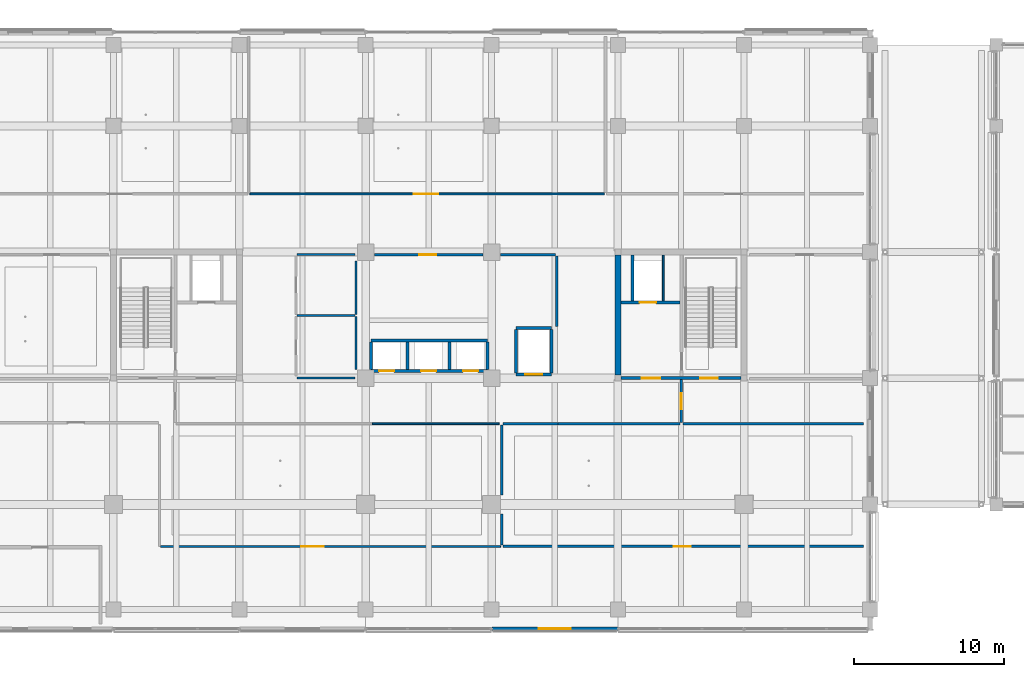
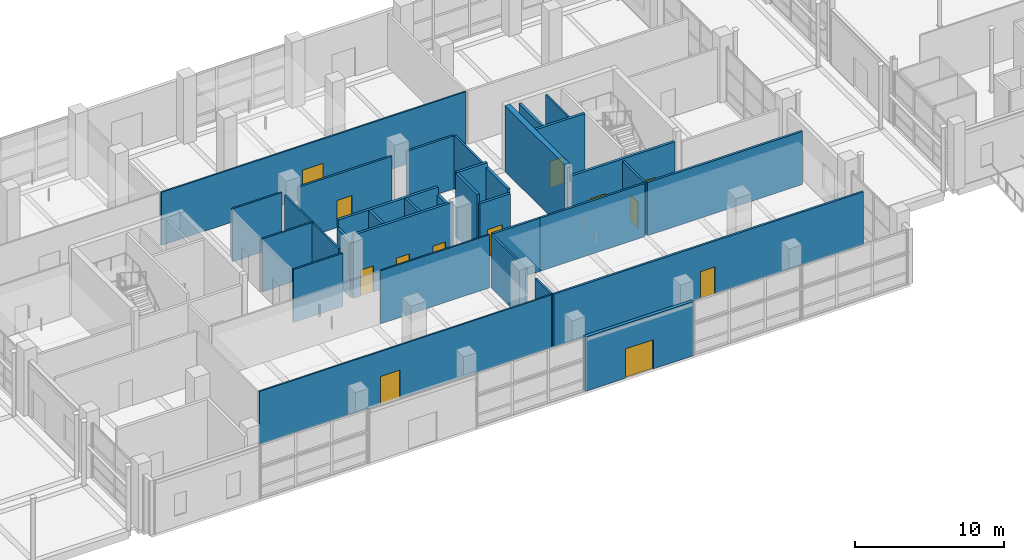
# One storey, part 60 of 140: 34 walls, 13 doors, 13 openings.
"""IFC4 building model written with IfcOpenShell, lengths in metres."""

from ifc_helpers import new_model, si_unit, direction, frame, frame_2d, origin, place, context, subcontext, project, spatial, rectangle, extrude, material, layer, layer_set, type_object, element, fill, save


model = new_model("IFC4")

# Units and contexts
model_context = context("Model", 3, precision=1e-05, world=origin(), true_north=direction((0.0, 1.0)))
body_context = subcontext(model_context, "Body", "Model", "MODEL_VIEW")
ifc_project = project(units=[si_unit("LENGTHUNIT", "METRE"), si_unit("AREAUNIT", "SQUARE_METRE"), si_unit("VOLUMEUNIT", "CUBIC_METRE"), si_unit("PLANEANGLEUNIT", "RADIAN"), si_unit("MASSUNIT", "GRAM", prefix="KILO")], contexts=[model_context])

# Site, building, storey
site_placement = place(None, origin())
site = spatial("IfcSite", under=ifc_project, at=site_placement, CompositionType="ELEMENT")
building_placement = place(site_placement, origin())
building = spatial("IfcBuilding", under=site, at=building_placement, Name="Telukmera Botanical Conservatory", CompositionType="ELEMENT")
storey_placement = place(building_placement, origin())
storey = spatial("IfcBuildingStorey", under=building, at=storey_placement, Name="L00", CompositionType="ELEMENT", Elevation=0.0)

# Wall, opening, door
ifc_material_1 = material(Name="Granite-faced precast concrete C40/50", Category="masonry")
ifc_layer_1 = layer(ifc_material_1, 0.260009765625)
ifc_layer_set_1 = layer_set([ifc_layer_1], Name="Granite-faced precast concrete C40/50")
wall_type_1 = type_object("IfcWallType", Name="Exterior Granite Precast Plinth Wall 260", PredefinedType="SOLIDWALL", material=ifc_layer_set_1)
wall_1_placement = place(storey_placement, frame((84.001953125, 9.320068359375, 0.0), z_axis=(0.0, 0.0, 1.0), x_axis=(1.0, 0.0, 0.0)))
wall_1 = element("IfcWall", 1, at=wall_1_placement, inside=storey, type_object=wall_type_1, Name="Exterior Precast Wall EW01 V4:L00:S5", PredefinedType="SOLIDWALL", context=body_context, shape_type="SweptSolid", body=[
    extrude(rectangle(XDim=8.39599609375, YDim=0.260009765625, at=frame_2d((4.197998046875, 0.0))), origin(), (0.0, 0.0, 1.0), 4.449951171875),
])
opening_1_placement = place(wall_1_placement, frame((3.123046875, 0.0, 0.0)))
opening_1 = element("IfcOpeningElement", 2, at=opening_1_placement, cuts=wall_1, Name="Opening D002", PredefinedType="OPENING", context=body_context, shape_type="SweptSolid", body=[
    extrude(rectangle(XDim=2.14990234375, YDim=2.39990234375, at=frame_2d((1.074951171875, 1.199951171875))), frame((0.0, 0.139892578125, 0.0), z_axis=(0.0, -1.0, 0.0), x_axis=(1.0, 0.0, 0.0)), (0.0, 0.0, 1.0), 0.280029296875),
])
ifc_material_2 = material(Name="Thermally broken anodised aluminium glazed door assembly", Category="aluminium")
door_type_1 = type_object("IfcDoorType", Name="Main Boulevard Tower East Entrance Double Door 2150x2400", OperationType="NOTDEFINED", PredefinedType="DOOR", material=ifc_material_2)
door_1_placement = place(opening_1_placement, frame((2.14990234375, 0.0, 0.0), z_axis=(0.0, 0.0, 1.0), x_axis=(-1.0, 0.0, 0.0)))
door_1 = element("IfcDoor", 3, at=door_1_placement, inside=storey, type_object=door_type_1, Name="Exterior Door D002", OperationType="DOUBLE_DOOR_SINGLE_SWING", OverallHeight=2.39990234375, OverallWidth=2.14990234375, PredefinedType="DOOR", context=body_context, shape_type="SweptSolid", body=[
    extrude(rectangle(XDim=2.14990234375, YDim=2.39990234375, at=frame_2d((1.074951171875, 1.199951171875))), frame((0.0, 0.02490234375, 0.0), z_axis=(0.0, -1.0, 0.0), x_axis=(1.0, 0.0, 0.0)), (0.0, 0.0, 1.0), 0.050048828125),
])
fill(opening_1, door_1)

# Wall, openings, doors
ifc_material_3 = material(Name="Concrete C40/50", Category="concrete")
ifc_layer_2 = layer(ifc_material_3, 0.199951171875)
ifc_layer_set_2 = layer_set([ifc_layer_2], Name="Concrete C40/50")
wall_type_2 = type_object("IfcWallType", Name="WT-CORE-200", PredefinedType="SOLIDWALL", material=ifc_layer_set_2)
wall_2_placement = place(storey_placement, frame((92.60009765625, 26.0, 0.0), z_axis=(0.0, 0.0, 1.0), x_axis=(1.0, 0.0, 0.0)))
wall_2 = element("IfcWall", 4, at=wall_2_placement, inside=storey, type_object=wall_type_2, Name="L00 Core C2 South Fire Wall", PredefinedType="SOLIDWALL", context=body_context, shape_type="SweptSolid", body=[
    extrude(rectangle(XDim=8.0, YDim=0.199951171875, at=frame_2d((4.0, 0.0))), origin(), (0.0, 0.0, 1.0), 4.530029296875),
])
opening_2_placement = place(wall_2_placement, frame((1.39990234375, 0.0, 0.0)))
opening_2 = element("IfcOpeningElement", 5, at=opening_2_placement, cuts=wall_2, Name="Opening FD60C", PredefinedType="OPENING", context=body_context, shape_type="SweptSolid", body=[
    extrude(rectangle(XDim=1.219970703125, YDim=2.14990234375, at=frame_2d((0.60986328125, 1.074951171875))), frame((0.0, 0.10986328125, 0.0), z_axis=(0.0, -1.0, 0.0), x_axis=(1.0, 0.0, 0.0)), (0.0, 0.0, 1.0), 0.219970703125),
])
opening_3_placement = place(wall_2_placement, frame((5.300048828125, 0.0, 0.0)))
opening_3 = element("IfcOpeningElement", 6, at=opening_3_placement, cuts=wall_2, Name="Opening FD60A", PredefinedType="OPENING", context=body_context, shape_type="SweptSolid", body=[
    extrude(rectangle(XDim=1.14990234375, YDim=2.14990234375, at=frame_2d((0.574951171875, 1.074951171875))), frame((0.0, 0.10986328125, 0.0), z_axis=(0.0, -1.0, 0.0), x_axis=(1.0, 0.0, 0.0)), (0.0, 0.0, 1.0), 0.219970703125),
])
ifc_material_4 = material(Name="Hardwood fire door", Category="wood")
door_type_2 = type_object("IfcDoorType", Name="DT-FD60-01", OperationType="NOTDEFINED", PredefinedType="DOOR", material=ifc_material_4)
door_2_placement = place(opening_3_placement, frame((1.14990234375, 0.0, 0.0), z_axis=(0.0, 0.0, 1.0), x_axis=(-1.0, 0.0, 0.0)))
door_2 = element("IfcDoor", 7, at=door_2_placement, inside=storey, type_object=door_type_2, Name="L00 Stair ST2 Escape Door", OperationType="SINGLE_SWING_RIGHT", OverallHeight=2.14990234375, OverallWidth=1.14990234375, PredefinedType="DOOR", context=body_context, shape_type="SweptSolid", body=[
    extrude(rectangle(XDim=1.14990234375, YDim=2.14990234375, at=frame_2d((0.574951171875, 1.074951171875))), frame((0.0, 0.02490234375, 0.0), z_axis=(0.0, -1.0, 0.0), x_axis=(1.0, 0.0, 0.0)), (0.0, 0.0, 1.0), 0.050048828125),
])
fill(opening_3, door_2)
door_type_3 = type_object("IfcDoorType", Name="DT-FD60-03", OperationType="NOTDEFINED", PredefinedType="DOOR", material=ifc_material_4)
door_3_placement = place(opening_2_placement, origin())
door_3 = element("IfcDoor", 8, at=door_3_placement, inside=storey, type_object=door_type_3, Name="L00 Firefighting Lobby C2 Door", OperationType="SINGLE_SWING_LEFT", OverallHeight=2.14990234375, OverallWidth=1.219970703125, PredefinedType="DOOR", context=body_context, shape_type="SweptSolid", body=[
    extrude(rectangle(XDim=1.219970703125, YDim=2.14990234375, at=frame_2d((0.60986328125, 1.074951171875))), frame((0.0, 0.02490234375, 0.0), z_axis=(0.0, -1.0, 0.0), x_axis=(1.0, 0.0, 0.0)), (0.0, 0.0, 1.0), 0.050048828125),
])
fill(opening_2, door_3)

# Wall, opening, door
wall_3_placement = place(storey_placement, frame((92.60009765625, 31.050048828125, 0.0), z_axis=(0.0, 0.0, 1.0), x_axis=(1.0, 0.0, 0.0)))
wall_3 = element("IfcWall", 9, at=wall_3_placement, inside=storey, type_object=wall_type_2, Name="L00 Fire Lift FL2 Shaft Front Wall", PredefinedType="SOLIDWALL", context=body_context, shape_type="SweptSolid", body=[
    extrude(rectangle(XDim=3.949951171875, YDim=0.199951171875, at=frame_2d((1.97509765625, 0.0))), origin(), (0.0, 0.0, 1.0), 5.199951171875),
])
opening_4_placement = place(wall_3_placement, frame((1.25, 0.0, 0.0)))
opening_4 = element("IfcOpeningElement", 10, at=opening_4_placement, cuts=wall_3, Name="Opening LD01", PredefinedType="OPENING", context=body_context, shape_type="SweptSolid", body=[
    extrude(rectangle(XDim=1.10009765625, YDim=2.14990234375, at=frame_2d((0.550048828125, 1.074951171875))), frame((0.0, 0.10986328125, 0.0), z_axis=(0.0, -1.0, 0.0), x_axis=(1.0, 0.0, 0.0)), (0.0, 0.0, 1.0), 0.219970703125),
])
ifc_material_5 = material(Name="Stainless steel 316", Category="steel")
door_type_4 = type_object("IfcDoorType", Name="DT-LD01", OperationType="SLIDING_TO_LEFT", PredefinedType="DOOR", material=ifc_material_5)
door_4_placement = place(opening_4_placement, frame((1.10009765625, 0.0, 0.0), z_axis=(0.0, 0.0, 1.0), x_axis=(-1.0, 0.0, 0.0)))
door_4 = element("IfcDoor", 11, at=door_4_placement, inside=storey, type_object=door_type_4, Name="L00 Lift Landing Door FL2", OperationType="SLIDING_TO_LEFT", OverallHeight=2.14990234375, OverallWidth=1.10009765625, PredefinedType="DOOR", context=body_context, shape_type="SweptSolid", body=[
    extrude(rectangle(XDim=1.10009765625, YDim=2.14990234375, at=frame_2d((0.550048828125, 1.074951171875))), frame((0.0, 0.02490234375, 0.0), z_axis=(0.0, -1.0, 0.0), x_axis=(1.0, 0.0, 0.0)), (0.0, 0.0, 1.0), 0.050048828125),
])
fill(opening_4, door_4)

# Wall
wall_4_placement = place(storey_placement, frame((93.3798828125, 31.14990234375, 0.0), z_axis=(0.0, 0.0, 1.0), x_axis=(0.0, 1.0, 0.0)))
element("IfcWall", 12, at=wall_4_placement, inside=storey, type_object=wall_type_2, Name="L00 Fire Lift FL2 Shaft West Wall", PredefinedType="SOLIDWALL", context=body_context, shape_type="SweptSolid", body=[
    extrude(rectangle(XDim=3.050048828125, YDim=0.199951171875, at=frame_2d((1.52490234375, 0.0))), origin(), (0.0, 0.0, 1.0), 5.199951171875),
])

# Wall, openings, doors
wall_5_placement = place(storey_placement, frame((75.949951171875, 26.47998046875, 0.0), z_axis=(0.0, 0.0, 1.0), x_axis=(1.0, 0.0, 0.0)))
wall_5 = element("IfcWall", 13, at=wall_5_placement, inside=storey, type_object=wall_type_2, Name="L00 Passenger Lift Bank Front Wall", PredefinedType="SOLIDWALL", context=body_context, shape_type="SweptSolid", body=[
    extrude(rectangle(XDim=7.77001953125, YDim=0.199951171875, at=frame_2d((3.885009765625, 0.0))), origin(), (0.0, 0.0, 1.0), 5.199951171875),
])
opening_5_placement = place(wall_5_placement, frame((0.550048828125, 0.0, 0.0)))
opening_5 = element("IfcOpeningElement", 14, at=opening_5_placement, cuts=wall_5, Name="Opening LD03", PredefinedType="OPENING", context=body_context, shape_type="SweptSolid", body=[
    extrude(rectangle(XDim=1.0, YDim=2.14990234375, at=frame_2d((0.5, 1.074951171875))), frame((0.0, 0.10986328125, 0.0), z_axis=(0.0, -1.0, 0.0), x_axis=(1.0, 0.0, 0.0)), (0.0, 0.0, 1.0), 0.219970703125),
])
opening_6_placement = place(wall_5_placement, frame((3.35009765625, 0.0, 0.0)))
opening_6 = element("IfcOpeningElement", 15, at=opening_6_placement, cuts=wall_5, Name="Opening LD03", PredefinedType="OPENING", context=body_context, shape_type="SweptSolid", body=[
    extrude(rectangle(XDim=1.0, YDim=2.14990234375, at=frame_2d((0.5, 1.074951171875))), frame((0.0, 0.10986328125, 0.0), z_axis=(0.0, -1.0, 0.0), x_axis=(1.0, 0.0, 0.0)), (0.0, 0.0, 1.0), 0.219970703125),
])
opening_7_placement = place(wall_5_placement, frame((6.14990234375, 0.0, 0.0)))
opening_7 = element("IfcOpeningElement", 16, at=opening_7_placement, cuts=wall_5, Name="Opening LD03", PredefinedType="OPENING", context=body_context, shape_type="SweptSolid", body=[
    extrude(rectangle(XDim=1.0, YDim=2.14990234375, at=frame_2d((0.5, 1.074951171875))), frame((0.0, 0.10986328125, 0.0), z_axis=(0.0, -1.0, 0.0), x_axis=(1.0, 0.0, 0.0)), (0.0, 0.0, 1.0), 0.219970703125),
])
door_type_5 = type_object("IfcDoorType", Name="DT-LD03", OperationType="SLIDING_TO_LEFT", PredefinedType="DOOR", material=ifc_material_5)
door_5_placement = place(opening_5_placement, frame((1.0, 0.0, 0.0), z_axis=(0.0, 0.0, 1.0), x_axis=(-1.0, 0.0, 0.0)))
door_5 = element("IfcDoor", 17, at=door_5_placement, inside=storey, type_object=door_type_5, Name="L00 Lift Landing Door PL1", OperationType="SLIDING_TO_LEFT", OverallHeight=2.14990234375, OverallWidth=1.0, PredefinedType="DOOR", context=body_context, shape_type="SweptSolid", body=[
    extrude(rectangle(XDim=1.0, YDim=2.14990234375, at=frame_2d((0.5, 1.074951171875))), frame((0.0, 0.02490234375, 0.0), z_axis=(0.0, -1.0, 0.0), x_axis=(1.0, 0.0, 0.0)), (0.0, 0.0, 1.0), 0.050048828125),
])
fill(opening_5, door_5)
door_6_placement = place(opening_6_placement, frame((1.0, 0.0, 0.0), z_axis=(0.0, 0.0, 1.0), x_axis=(-1.0, 0.0, 0.0)))
door_6 = element("IfcDoor", 18, at=door_6_placement, inside=storey, type_object=door_type_5, Name="L00 Lift Landing Door PL2", OperationType="SLIDING_TO_LEFT", OverallHeight=2.14990234375, OverallWidth=1.0, PredefinedType="DOOR", context=body_context, shape_type="SweptSolid", body=[
    extrude(rectangle(XDim=1.0, YDim=2.14990234375, at=frame_2d((0.5, 1.074951171875))), frame((0.0, 0.02490234375, 0.0), z_axis=(0.0, -1.0, 0.0), x_axis=(1.0, 0.0, 0.0)), (0.0, 0.0, 1.0), 0.050048828125),
])
fill(opening_6, door_6)
door_7_placement = place(opening_7_placement, frame((1.0, 0.0, 0.0), z_axis=(0.0, 0.0, 1.0), x_axis=(-1.0, 0.0, 0.0)))
door_7 = element("IfcDoor", 19, at=door_7_placement, inside=storey, type_object=door_type_5, Name="L00 Lift Landing Door PL3", OperationType="SLIDING_TO_LEFT", OverallHeight=2.14990234375, OverallWidth=1.0, PredefinedType="DOOR", context=body_context, shape_type="SweptSolid", body=[
    extrude(rectangle(XDim=1.0, YDim=2.14990234375, at=frame_2d((0.5, 1.074951171875))), frame((0.0, 0.02490234375, 0.0), z_axis=(0.0, -1.0, 0.0), x_axis=(1.0, 0.0, 0.0)), (0.0, 0.0, 1.0), 0.050048828125),
])
fill(opening_7, door_7)

# Walls
wall_6_placement = place(storey_placement, frame((75.949951171875, 28.52001953125, 0.0), z_axis=(0.0, 0.0, 1.0), x_axis=(1.0, 0.0, 0.0)))
element("IfcWall", 20, at=wall_6_placement, inside=storey, type_object=wall_type_2, Name="L00 Passenger Lift Bank Rear Wall", PredefinedType="SOLIDWALL", context=body_context, shape_type="SweptSolid", body=[
    extrude(rectangle(XDim=7.77001953125, YDim=0.199951171875, at=frame_2d((3.885009765625, 0.0))), origin(), (0.0, 0.0, 1.0), 5.199951171875),
])
wall_7_placement = place(storey_placement, frame((75.949951171875, 26.580078125, 0.0), z_axis=(0.0, 0.0, 1.0), x_axis=(0.0, 1.0, 0.0)))
element("IfcWall", 21, at=wall_7_placement, inside=storey, type_object=wall_type_2, Name="L00 Passenger Lift Shaft Wall 1", PredefinedType="SOLIDWALL", context=body_context, shape_type="SweptSolid", body=[
    extrude(rectangle(XDim=1.83984375, YDim=0.199951171875, at=frame_2d((0.919921875, 0.0))), origin(), (0.0, 0.0, 1.0), 4.580078125),
])
for number, where, z_axis, x_axis, name in (
    (22, (78.39990234375, 26.580078125, 0.0), (0.0, 0.0, 1.0), (0.0, 1.0, 0.0), "L00 Passenger Lift Shaft Wall 2"),
    (23, (81.199951171875, 26.580078125, 0.0), (0.0, 0.0, 1.0), (0.0, 1.0, 0.0), "L00 Passenger Lift Shaft Wall 3"),
):
    element("IfcWall", number, at=place(storey_placement, frame(where, z_axis=z_axis, x_axis=x_axis)), inside=storey, type_object=wall_type_2, Name=name, PredefinedType="SOLIDWALL", context=body_context, shape_type="SweptSolid", body=[
        extrude(rectangle(XDim=1.83984375, YDim=0.199951171875, at=frame_2d((0.919921875, 0.0))), origin(), (0.0, 0.0, 1.0), 5.199951171875),
    ])
wall_8_placement = place(storey_placement, frame((83.719970703125, 26.580078125, 0.0), z_axis=(0.0, 0.0, 1.0), x_axis=(0.0, 1.0, 0.0)))
element("IfcWall", 24, at=wall_8_placement, inside=storey, type_object=wall_type_2, Name="L00 Passenger Lift Shaft Wall 4", PredefinedType="SOLIDWALL", context=body_context, shape_type="SweptSolid", body=[
    extrude(rectangle(XDim=1.83984375, YDim=0.199951171875, at=frame_2d((0.919921875, 0.0))), origin(), (0.0, 0.0, 1.0), 4.580078125),
])

# Wall, opening, door
wall_9_placement = place(storey_placement, frame((85.6201171875, 26.25, 0.0), z_axis=(0.0, 0.0, 1.0), x_axis=(1.0, 0.0, 0.0)))
wall_9 = element("IfcWall", 25, at=wall_9_placement, inside=storey, type_object=wall_type_2, Name="L00 Goods Lift GL1 Front Wall", PredefinedType="SOLIDWALL", context=body_context, shape_type="SweptSolid", body=[
    extrude(rectangle(XDim=2.35986328125, YDim=0.199951171875, at=frame_2d((1.179931640625, 0.0))), origin(), (0.0, 0.0, 1.0), 4.530029296875),
])
opening_8_placement = place(wall_9_placement, frame((0.60498046875, 0.0, 0.0)))
opening_8 = element("IfcOpeningElement", 26, at=opening_8_placement, cuts=wall_9, Name="Opening LD02", PredefinedType="OPENING", context=body_context, shape_type="SweptSolid", body=[
    extrude(rectangle(XDim=1.14990234375, YDim=2.199951171875, at=frame_2d((0.574951171875, 1.10009765625))), frame((0.0, 0.10986328125, 0.0), z_axis=(0.0, -1.0, 0.0), x_axis=(1.0, 0.0, 0.0)), (0.0, 0.0, 1.0), 0.219970703125),
])
door_type_6 = type_object("IfcDoorType", Name="DT-LD02", OperationType="SLIDING_TO_LEFT", PredefinedType="DOOR", material=ifc_material_5)
door_8_placement = place(opening_8_placement, frame((1.14990234375, 0.0, 0.0), z_axis=(0.0, 0.0, 1.0), x_axis=(-1.0, 0.0, 0.0)))
door_8 = element("IfcDoor", 27, at=door_8_placement, inside=storey, type_object=door_type_6, Name="L00 Lift Landing Door GL1", OperationType="SLIDING_TO_LEFT", OverallHeight=2.199951171875, OverallWidth=1.14990234375, PredefinedType="DOOR", context=body_context, shape_type="SweptSolid", body=[
    extrude(rectangle(XDim=1.14990234375, YDim=2.199951171875, at=frame_2d((0.574951171875, 1.10009765625))), frame((0.0, 0.02490234375, 0.0), z_axis=(0.0, -1.0, 0.0), x_axis=(1.0, 0.0, 0.0)), (0.0, 0.0, 1.0), 0.050048828125),
])
fill(opening_8, door_8)

# Walls
wall_10_placement = place(storey_placement, frame((85.6201171875, 29.35009765625, 0.0), z_axis=(0.0, 0.0, 1.0), x_axis=(1.0, 0.0, 0.0)))
element("IfcWall", 28, at=wall_10_placement, inside=storey, type_object=wall_type_2, Name="L00 Goods Lift GL1 Rear Wall", PredefinedType="SOLIDWALL", context=body_context, shape_type="SweptSolid", body=[
    extrude(rectangle(XDim=2.35986328125, YDim=0.199951171875, at=frame_2d((1.179931640625, 0.0))), origin(), (0.0, 0.0, 1.0), 5.199951171875),
])
wall_11_placement = place(storey_placement, frame((85.6201171875, 26.35009765625, 0.0), z_axis=(0.0, 0.0, 1.0), x_axis=(0.0, 1.0, 0.0)))
element("IfcWall", 29, at=wall_11_placement, inside=storey, type_object=wall_type_2, Name="L00 Goods Lift GL1 Side Wall 1", PredefinedType="SOLIDWALL", context=body_context, shape_type="SweptSolid", body=[
    extrude(rectangle(XDim=2.89990234375, YDim=0.199951171875, at=frame_2d((1.449951171875, 0.0))), origin(), (0.0, 0.0, 1.0), 5.199951171875),
])
wall_12_placement = place(storey_placement, frame((87.97998046875, 26.35009765625, 0.0), z_axis=(0.0, 0.0, 1.0), x_axis=(0.0, 1.0, 0.0)))
element("IfcWall", 30, at=wall_12_placement, inside=storey, type_object=wall_type_2, Name="L00 Goods Lift GL1 Side Wall 2", PredefinedType="SOLIDWALL", context=body_context, shape_type="SweptSolid", body=[
    extrude(rectangle(XDim=2.89990234375, YDim=0.199951171875, at=frame_2d((1.449951171875, 0.0))), origin(), (0.0, 0.0, 1.0), 4.830078125),
])
ifc_material_6 = material(Name="Aluminium framed acoustic glass", Category="aluminium")
ifc_layer_3 = layer(ifc_material_6, 0.1201171875)
ifc_layer_set_3 = layer_set([ifc_layer_3], Name="Aluminium framed acoustic glass")
wall_type_3 = type_object("IfcWallType", Name="WT-GLAZ-120", PredefinedType="PARTITIONING", material=ifc_layer_set_3)
wall_13_placement = place(storey_placement, frame((76.050048828125, 22.97509765625, 0.0), z_axis=(0.0, 0.0, 1.0), x_axis=(1.0, 0.0, 0.0)))
element("IfcWall", 31, at=wall_13_placement, inside=storey, type_object=wall_type_3, Name="L00 Interior Partition 75", PredefinedType="PARTITIONING", context=body_context, shape_type="SweptSolid", body=[
    extrude(rectangle(XDim=8.449951171875, YDim=0.1201171875, at=frame_2d((4.22509765625, 0.0))), origin(), (0.0, 0.0, 1.0), 4.35009765625),
])

# Wall, opening, door
wall_14_placement = place(storey_placement, frame((61.949951171875, 14.800048828125, 0.0), z_axis=(0.0, 0.0, 1.0), x_axis=(1.0, 0.0, 0.0)))
wall_14 = element("IfcWall", 32, at=wall_14_placement, inside=storey, type_object=wall_type_3, Name="L00 Interior Partition 84", PredefinedType="PARTITIONING", context=body_context, shape_type="SweptSolid", body=[
    extrude(rectangle(XDim=22.650146484375, YDim=0.1201171875, at=frame_2d((11.3251953125, 0.0))), origin(), (0.0, 0.0, 1.0), 4.35009765625),
])
opening_9_placement = place(wall_14_placement, frame((9.3779296875, 0.0, 0.0)))
opening_9 = element("IfcOpeningElement", 33, at=opening_9_placement, cuts=wall_14, Name="Opening ID04", PredefinedType="OPENING", context=body_context, shape_type="SweptSolid", body=[
    extrude(rectangle(XDim=1.5, YDim=2.300048828125, at=frame_2d((0.75, 1.14990234375))), frame((0.0, 0.070068359375, 0.0), z_axis=(0.0, -1.0, 0.0), x_axis=(1.0, 0.0, 0.0)), (0.0, 0.0, 1.0), 0.14013671875),
])
ifc_material_7 = material(Name="Teak framed acoustic glazed door")
door_type_7 = type_object("IfcDoorType", Name="DT-LIB-150", OperationType="NOTDEFINED", PredefinedType="DOOR", material=ifc_material_7)
door_9_placement = place(opening_9_placement, origin())
door_9 = element("IfcDoor", 34, at=door_9_placement, inside=storey, type_object=door_type_7, Name="L00 Visitor Centre Botanical Hall Door", OperationType="SINGLE_SWING_LEFT", OverallHeight=2.300048828125, OverallWidth=1.5, PredefinedType="DOOR", context=body_context, shape_type="SweptSolid", body=[
    extrude(rectangle(XDim=1.5, YDim=2.300048828125, at=frame_2d((0.75, 1.14990234375))), frame((0.0, 0.02490234375, 0.0), z_axis=(0.0, -1.0, 0.0), x_axis=(1.0, 0.0, 0.0)), (0.0, 0.0, 1.0), 0.050048828125),
])
fill(opening_9, door_9)

wall_15_placement = place(storey_placement, frame((67.89990234375, 38.27490234375, 0.0), z_axis=(0.0, 0.0, 1.0), x_axis=(1.0, 0.0, 0.0)))
wall_15 = element("IfcWall", 35, at=wall_15_placement, inside=storey, type_object=wall_type_3, Name="L00 Interior Partition 89", PredefinedType="PARTITIONING", context=body_context, shape_type="SweptSolid", body=[
    extrude(rectangle(XDim=23.60009765625, YDim=0.1201171875, at=frame_2d((11.800048828125, 0.0))), origin(), (0.0, 0.0, 1.0), 4.35009765625),
])
opening_10_placement = place(wall_15_placement, frame((10.9248046875, 0.0, 0.0)))
opening_10 = element("IfcOpeningElement", 36, at=opening_10_placement, cuts=wall_15, Name="Opening ID03", PredefinedType="OPENING", context=body_context, shape_type="SweptSolid", body=[
    extrude(rectangle(XDim=1.60009765625, YDim=2.35009765625, at=frame_2d((0.800048828125, 1.175048828125))), frame((0.0, 0.070068359375, 0.0), z_axis=(0.0, -1.0, 0.0), x_axis=(1.0, 0.0, 0.0)), (0.0, 0.0, 1.0), 0.14013671875),
])
ifc_material_8 = material(Name="Anodised aluminium glazed double door", Category="aluminium")
door_type_8 = type_object("IfcDoorType", Name="DT-GAL-160", OperationType="NOTDEFINED", PredefinedType="DOOR", material=ifc_material_8)
door_10_placement = place(opening_10_placement, origin())
door_10 = element("IfcDoor", 37, at=door_10_placement, inside=storey, type_object=door_type_8, Name="L00 Public Herbarium Viewing Gallery Door", OperationType="SINGLE_SWING_RIGHT", OverallHeight=2.35009765625, OverallWidth=1.60009765625, PredefinedType="DOOR", context=body_context, shape_type="SweptSolid", body=[
    extrude(rectangle(XDim=1.60009765625, YDim=2.35009765625, at=frame_2d((0.800048828125, 1.175048828125))), frame((0.0, 0.02490234375, 0.0), z_axis=(0.0, -1.0, 0.0), x_axis=(1.0, 0.0, 0.0)), (0.0, 0.0, 1.0), 0.050048828125),
])
fill(opening_10, door_10)

# Wall
ifc_material_9 = material(Name="Gypsum acoustic stud partition")
ifc_layer_4 = layer(ifc_material_9, 0.159912109375)
ifc_layer_set_4 = layer_set([ifc_layer_4], Name="Gypsum acoustic stud partition")
wall_type_4 = type_object("IfcWallType", Name="WT-LAB-160", PredefinedType="PARTITIONING", material=ifc_layer_set_4)
wall_16_placement = place(storey_placement, frame((88.324951171875, 29.449951171875, 0.0), z_axis=(0.0, 0.0, 1.0), x_axis=(0.0, 1.0, 0.0)))
element("IfcWall", 38, at=wall_16_placement, inside=storey, type_object=wall_type_4, Name="L00 Interior Partition 68", PredefinedType="PARTITIONING", context=body_context, shape_type="SweptSolid", body=[
    extrude(rectangle(XDim=4.699951171875, YDim=0.159912109375, at=frame_2d((2.35009765625, 0.0))), origin(), (0.0, 0.0, 1.0), 4.35009765625),
])

# Wall, opening, door
wall_17_placement = place(storey_placement, frame((76.199951171875, 34.22509765625, 0.0), z_axis=(0.0, 0.0, 1.0), x_axis=(1.0, 0.0, 0.0)))
wall_17 = element("IfcWall", 39, at=wall_17_placement, inside=storey, type_object=wall_type_4, Name="L00 Interior Partition 69", PredefinedType="PARTITIONING", context=body_context, shape_type="SweptSolid", body=[
    extrude(rectangle(XDim=7.219970703125, YDim=0.159912109375, at=frame_2d((3.60986328125, 0.0))), origin(), (0.0, 0.0, 1.0), 4.35009765625),
])
opening_11_placement = place(wall_17_placement, frame((2.964599609375, 0.0, 0.0)))
opening_11 = element("IfcOpeningElement", 40, at=opening_11_placement, cuts=wall_17, Name="Opening ID10", PredefinedType="OPENING", context=body_context, shape_type="SweptSolid", body=[
    extrude(rectangle(XDim=1.139892578125, YDim=2.219970703125, at=frame_2d((0.56982421875, 1.10986328125))), frame((0.0, 0.08984375, 0.0), z_axis=(0.0, -1.0, 0.0), x_axis=(1.0, 0.0, 0.0)), (0.0, 0.0, 1.0), 0.179931640625),
])
ifc_material_10 = material(Name="Sealed steel herbarium door", Category="steel")
door_type_9 = type_object("IfcDoorType", Name="DT-HERB-114", OperationType="NOTDEFINED", PredefinedType="DOOR", material=ifc_material_10)
door_11_placement = place(opening_11_placement, frame((1.139892578125, 0.0, 0.0), z_axis=(0.0, 0.0, 1.0), x_axis=(-1.0, 0.0, 0.0)))
door_11 = element("IfcDoor", 41, at=door_11_placement, inside=storey, type_object=door_type_9, Name="L00 Herbarium Specimen Fumigation Room Door", OperationType="SINGLE_SWING_RIGHT", OverallHeight=2.219970703125, OverallWidth=1.139892578125, PredefinedType="DOOR", context=body_context, shape_type="SweptSolid", body=[
    extrude(rectangle(XDim=1.139892578125, YDim=2.219970703125, at=frame_2d((0.56982421875, 1.10986328125))), frame((0.0, 0.02490234375, 0.0), z_axis=(0.0, -1.0, 0.0), x_axis=(1.0, 0.0, 0.0)), (0.0, 0.0, 1.0), 0.050048828125),
])
fill(opening_11, door_11)

# Walls
wall_18_placement = place(storey_placement, frame((84.580078125, 34.22509765625, 0.0), z_axis=(0.0, 0.0, 1.0), x_axis=(1.0, 0.0, 0.0)))
element("IfcWall", 42, at=wall_18_placement, inside=storey, type_object=wall_type_4, Name="L00 Interior Partition 70", PredefinedType="PARTITIONING", context=body_context, shape_type="SweptSolid", body=[
    extrude(rectangle(XDim=3.655029296875, YDim=0.159912109375, at=frame_2d((1.82763671875, 0.0))), origin(), (0.0, 0.0, 1.0), 4.35009765625),
])
wall_19_placement = place(storey_placement, frame((84.75, 22.97509765625, 0.0), z_axis=(0.0, 0.0, 1.0), x_axis=(1.0, 0.0, 0.0)))
element("IfcWall", 43, at=wall_19_placement, inside=storey, type_object=wall_type_4, Name="L00 Interior Partition 76", PredefinedType="PARTITIONING", context=body_context, shape_type="SweptSolid", body=[
    extrude(rectangle(XDim=3.64990234375, YDim=0.159912109375, at=frame_2d((1.824951171875, 0.0))), origin(), (0.0, 0.0, 1.0), 4.35009765625),
])
wall_20_placement = place(storey_placement, frame((88.409912109375, 22.97509765625, 0.0), z_axis=(0.0, 0.0, 1.0), x_axis=(1.0, 0.0, 0.0)))
element("IfcWall", 44, at=wall_20_placement, inside=storey, type_object=wall_type_4, Name="L00 Interior Partition 81", PredefinedType="PARTITIONING", context=body_context, shape_type="SweptSolid", body=[
    extrude(rectangle(XDim=8.1201171875, YDim=0.159912109375, at=frame_2d((4.06005859375, 0.0))), origin(), (0.0, 0.0, 1.0), 4.35009765625),
])

# Wall, opening, door
wall_21_placement = place(storey_placement, frame((84.75, 14.800048828125, 0.0), z_axis=(0.0, 0.0, 1.0), x_axis=(1.0, 0.0, 0.0)))
wall_21 = element("IfcWall", 45, at=wall_21_placement, inside=storey, type_object=wall_type_4, Name="L00 Interior Partition 85", PredefinedType="PARTITIONING", context=body_context, shape_type="SweptSolid", body=[
    extrude(rectangle(XDim=24.0, YDim=0.159912109375, at=frame_2d((12.0, 0.0))), origin(), (0.0, 0.0, 1.0), 4.35009765625),
])
opening_12_placement = place(wall_21_placement, frame((11.35498046875, 0.0, 0.0)))
opening_12 = element("IfcOpeningElement", 46, at=opening_12_placement, cuts=wall_21, Name="Opening ID10", PredefinedType="OPENING", context=body_context, shape_type="SweptSolid", body=[
    extrude(rectangle(XDim=1.139892578125, YDim=2.219970703125, at=frame_2d((0.56982421875, 1.10986328125))), frame((0.0, 0.08984375, 0.0), z_axis=(0.0, -1.0, 0.0), x_axis=(1.0, 0.0, 0.0)), (0.0, 0.0, 1.0), 0.179931640625),
])
door_12_placement = place(opening_12_placement, origin())
door_12 = element("IfcDoor", 47, at=door_12_placement, inside=storey, type_object=door_type_9, Name="L00 Herbarium Specimen Sorting Studio Door", OperationType="SINGLE_SWING_RIGHT", OverallHeight=2.219970703125, OverallWidth=1.139892578125, PredefinedType="DOOR", context=body_context, shape_type="SweptSolid", body=[
    extrude(rectangle(XDim=1.139892578125, YDim=2.219970703125, at=frame_2d((0.56982421875, 1.10986328125))), frame((0.0, 0.02490234375, 0.0), z_axis=(0.0, -1.0, 0.0), x_axis=(1.0, 0.0, 0.0)), (0.0, 0.0, 1.0), 0.050048828125),
])
fill(opening_12, door_12)

# Walls
wall_22_placement = place(storey_placement, frame((84.675048828125, 14.889892578125, 0.0), z_axis=(0.0, 0.0, 1.0), x_axis=(0.0, 1.0, 0.0)))
element("IfcWall", 48, at=wall_22_placement, inside=storey, type_object=wall_type_4, Name="L00 Interior Partition 86", PredefinedType="PARTITIONING", context=body_context, shape_type="SweptSolid", body=[
    extrude(rectangle(XDim=2.080078125, YDim=0.159912109375, at=frame_2d((1.0400390625, 0.0))), origin(), (0.0, 0.0, 1.0), 4.35009765625),
])
wall_23_placement = place(storey_placement, frame((84.675048828125, 18.22998046875, 0.0), z_axis=(0.0, 0.0, 1.0), x_axis=(0.0, 1.0, 0.0)))
element("IfcWall", 49, at=wall_23_placement, inside=storey, type_object=wall_type_4, Name="L00 Interior Partition 87", PredefinedType="PARTITIONING", context=body_context, shape_type="SweptSolid", body=[
    extrude(rectangle(XDim=4.655029296875, YDim=0.159912109375, at=frame_2d((2.32763671875, 0.0))), origin(), (0.0, 0.0, 1.0), 4.35009765625),
])

# Wall, opening, door
ifc_material_11 = material(Name="Blockwork masonry", Category="masonry")
ifc_layer_5 = layer(ifc_material_11, 0.169921875)
ifc_layer_set_5 = layer_set([ifc_layer_5], Name="Blockwork masonry")
wall_type_5 = type_object("IfcWallType", Name="WT-PLANT-170", PredefinedType="PARTITIONING", material=ifc_layer_set_5)
wall_24_placement = place(storey_placement, frame((96.625, 23.050048828125, 0.0), z_axis=(0.0, 0.0, 1.0), x_axis=(0.0, 1.0, 0.0)))
wall_24 = element("IfcWall", 50, at=wall_24_placement, inside=storey, type_object=wall_type_5, Name="L00 Interior Partition 80", PredefinedType="PARTITIONING", context=body_context, shape_type="SweptSolid", body=[
    extrude(rectangle(XDim=2.849853515625, YDim=0.169921875, at=frame_2d((1.4248046875, 0.0))), origin(), (0.0, 0.0, 1.0), 4.35009765625),
])
opening_13_placement = place(wall_24_placement, frame((0.885009765625, 0.0, 0.0)))
opening_13 = element("IfcOpeningElement", 51, at=opening_13_placement, cuts=wall_24, Name="Opening FD60E", PredefinedType="OPENING", context=body_context, shape_type="SweptSolid", body=[
    extrude(rectangle(XDim=1.080078125, YDim=2.14990234375, at=frame_2d((0.5400390625, 1.074951171875))), frame((0.0, 0.094970703125, 0.0), z_axis=(0.0, -1.0, 0.0), x_axis=(1.0, 0.0, 0.0)), (0.0, 0.0, 1.0), 0.18994140625),
])
door_type_10 = type_object("IfcDoorType", Name="DT-FD60-05", OperationType="NOTDEFINED", PredefinedType="DOOR", material=ifc_material_4)
door_13_placement = place(opening_13_placement, frame((1.080078125, 0.0, 0.0), z_axis=(0.0, 0.0, 1.0), x_axis=(-1.0, 0.0, 0.0)))
door_13 = element("IfcDoor", 52, at=door_13_placement, inside=storey, type_object=door_type_10, Name="L00 ST2 Exit Vestibule Corridor Fire Door", OperationType="SINGLE_SWING_RIGHT", OverallHeight=2.14990234375, OverallWidth=1.080078125, PredefinedType="DOOR", context=body_context, shape_type="SweptSolid", body=[
    extrude(rectangle(XDim=1.080078125, YDim=2.14990234375, at=frame_2d((0.5400390625, 1.074951171875))), frame((0.0, 0.02490234375, 0.0), z_axis=(0.0, -1.0, 0.0), x_axis=(1.0, 0.0, 0.0)), (0.0, 0.0, 1.0), 0.050048828125),
])
fill(opening_13, door_13)

# Walls
wall_25_placement = place(storey_placement, frame((96.719970703125, 22.97509765625, 0.0), z_axis=(0.0, 0.0, 1.0), x_axis=(1.0, 0.0, 0.0)))
element("IfcWall", 53, at=wall_25_placement, inside=storey, type_object=wall_type_5, Name="L00 Interior Partition 82", PredefinedType="PARTITIONING", context=body_context, shape_type="SweptSolid", body=[
    extrude(rectangle(XDim=12.030029296875, YDim=0.169921875, at=frame_2d((6.01513671875, 0.0))), origin(), (0.0, 0.0, 1.0), 4.35009765625),
])
ifc_material_12 = material(Name="Gypsum shaftwall liner")
ifc_layer_6 = layer(ifc_material_12, 0.110107421875)
ifc_layer_set_6 = layer_set([ifc_layer_6], Name="Gypsum shaftwall liner")
wall_type_6 = type_object("IfcWallType", Name="WT-RISER-110", PredefinedType="PARTITIONING", material=ifc_layer_set_6)
wall_26_placement = place(storey_placement, frame((95.419921875, 31.14990234375, 0.0), z_axis=(0.0, 0.0, 1.0), x_axis=(0.0, 1.0, 0.0)))
element("IfcWall", 54, at=wall_26_placement, inside=storey, type_object=wall_type_6, Name="L00 Wet Riser C2 Shaft Wall", PredefinedType="PARTITIONING", context=body_context, shape_type="SweptSolid", body=[
    extrude(rectangle(XDim=3.050048828125, YDim=0.110107421875, at=frame_2d((1.52490234375, 0.0))), origin(), (0.0, 0.0, 1.0), 5.199951171875),
])
ifc_material_13 = material(Name="Moisture-resistant blockwork", Category="masonry")
ifc_layer_7 = layer(ifc_material_13, 0.135009765625)
ifc_layer_set_7 = layer_set([ifc_layer_7], Name="Moisture-resistant blockwork")
wall_type_7 = type_object("IfcWallType", Name="WT-WC-135", PredefinedType="PARTITIONING", material=ifc_layer_set_7)
for number, where, z_axis, x_axis, name in (
    (55, (71.050048828125, 30.175048828125, 0.0), (0.0, 0.0, 1.0), (1.0, 0.0, 0.0), "L00 Interior Partition 65"),
    (56, (71.050048828125, 26.02490234375, 0.0), (0.0, 0.0, 1.0), (1.0, 0.0, 0.0), "L00 Interior Partition 66"),
    (57, (71.050048828125, 34.22509765625, 0.0), (0.0, 0.0, 1.0), (1.0, 0.0, 0.0), "L00 Interior Partition 67"),
):
    element("IfcWall", number, at=place(storey_placement, frame(where, z_axis=z_axis, x_axis=x_axis)), inside=storey, type_object=wall_type_7, Name=name, PredefinedType="PARTITIONING", context=body_context, shape_type="SweptSolid", body=[
        extrude(rectangle(XDim=3.849853515625, YDim=0.135009765625, at=frame_2d((1.9248046875, 0.0))), origin(), (0.0, 0.0, 1.0), 4.35009765625),
    ])
wall_27_placement = place(storey_placement, frame((74.967529296875, 26.580078125, 0.0), z_axis=(0.0, 0.0, 1.0), x_axis=(0.0, 1.0, 0.0)))
element("IfcWall", 58, at=wall_27_placement, inside=storey, type_object=wall_type_7, Name="L00 WC Enclosure Partition 10", PredefinedType="PARTITIONING", context=body_context, shape_type="SweptSolid", body=[
    extrude(rectangle(XDim=3.517333984375, YDim=0.135009765625, at=frame_2d((1.7587890625, 0.0))), origin(), (0.0, 0.0, 1.0), 4.35009765625),
])
wall_28_placement = place(storey_placement, frame((74.967529296875, 30.25244140625, 0.0), z_axis=(0.0, 0.0, 1.0), x_axis=(0.0, 1.0, 0.0)))
element("IfcWall", 59, at=wall_28_placement, inside=storey, type_object=wall_type_7, Name="L00 WC Enclosure Partition 11", PredefinedType="PARTITIONING", context=body_context, shape_type="SweptSolid", body=[
    extrude(rectangle(XDim=3.567626953125, YDim=0.135009765625, at=frame_2d((1.78369140625, 0.0))), origin(), (0.0, 0.0, 1.0), 4.35009765625),
])
ifc_material_14 = material(Name="Concrete C50/60", Category="concrete")
ifc_layer_8 = layer(ifc_material_14, 0.39990234375)
ifc_layer_set_8 = layer_set([ifc_layer_8], Name="Concrete C50/60")
wall_type_8 = type_object("IfcWallType", Name="Wall_CW1", PredefinedType="SHEAR", material=ifc_layer_set_8)
wall_29_placement = place(storey_placement, frame((92.39990234375, 26.199951171875, 0.0), z_axis=(0.0, 0.0, 1.0), x_axis=(0.0, 1.0, 0.0)))
element("IfcWall", 60, at=wall_29_placement, inside=storey, type_object=wall_type_8, Name="Core C2 Shear Wall West L00", PredefinedType="SHEAR", context=body_context, shape_type="SweptSolid", body=[
    extrude(rectangle(XDim=8.0, YDim=0.39990234375, at=frame_2d((4.0, 0.0))), origin(), (0.0, 0.0, 1.0), 5.39990234375),
])

save(model, "model.ifc")
